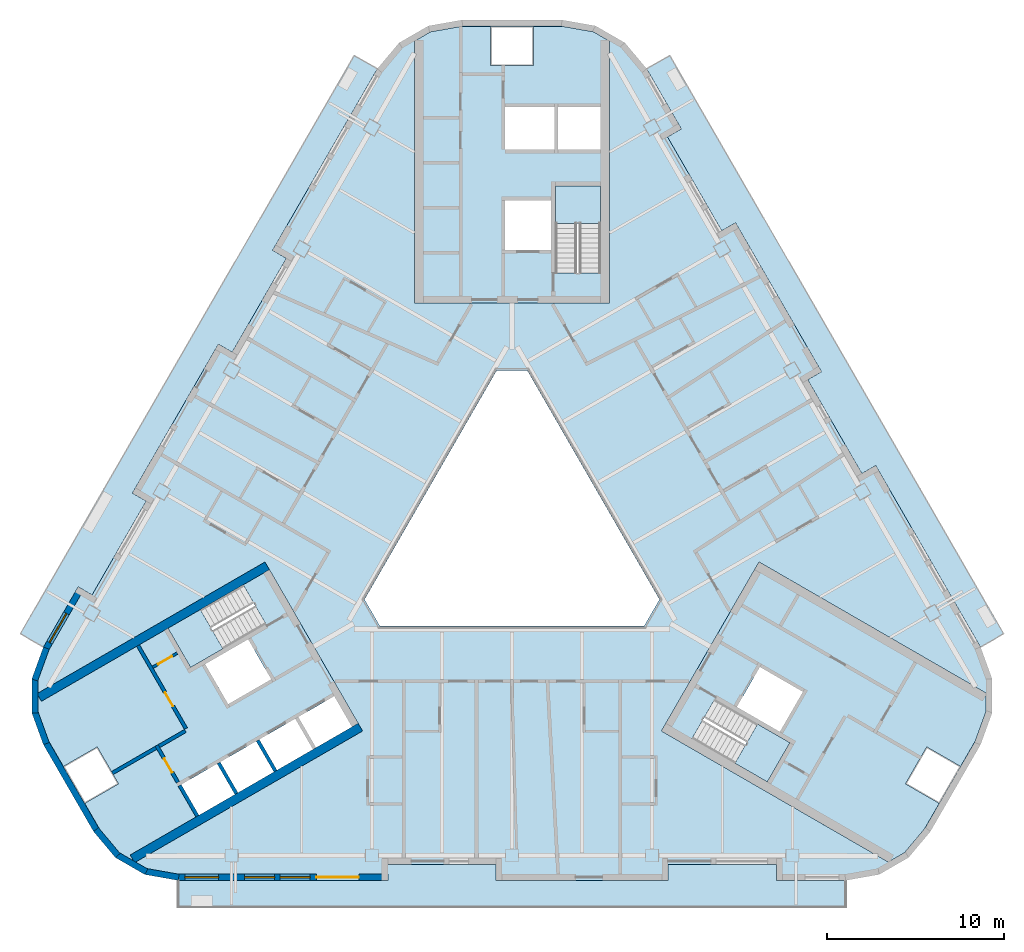
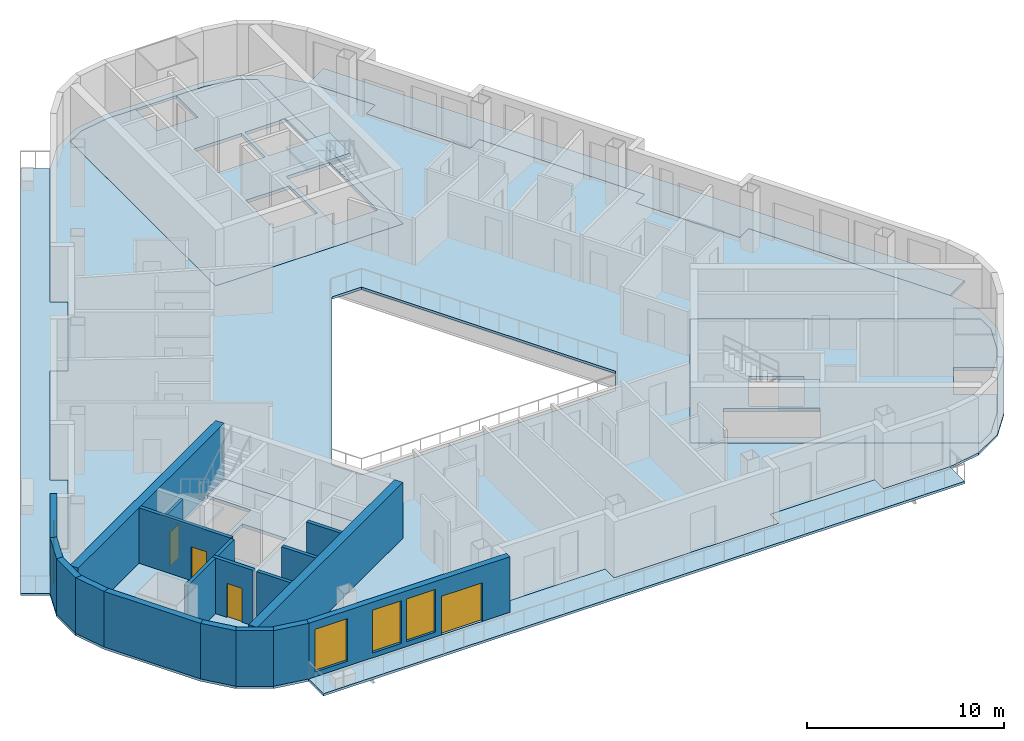
# One storey, part 2 of 14: 19 walls, 10 slabs, 4 doors, 4 windows, 8 openings, 3 elements without a shape of their own.
"""IFC4 building model written with IfcOpenShell, lengths in metres."""

from ifc_helpers import new_model, si_unit, direction, frame, frame_2d, origin, place, context, subcontext, project, spatial, polyline, rectangle, outline, extrude, material, layer, layer_set, type_object, element, fill, aggregate, save


model = new_model("IFC4")

# Units and contexts
model_context = context("Model", 3, precision=1e-05, world=origin(), true_north=direction((0.0, 1.0)))
body_context = subcontext(model_context, "Body", "Model", "MODEL_VIEW")
ifc_project = project(units=[si_unit("LENGTHUNIT", "METRE"), si_unit("AREAUNIT", "SQUARE_METRE"), si_unit("VOLUMEUNIT", "CUBIC_METRE"), si_unit("PLANEANGLEUNIT", "RADIAN"), si_unit("MASSUNIT", "GRAM", prefix="KILO")], contexts=[model_context])

# Site, building, storey
site_placement = place(None, origin())
site = spatial("IfcSite", under=ifc_project, at=site_placement, CompositionType="ELEMENT")
building_placement = place(site_placement, origin())
building = spatial("IfcBuilding", under=site, at=building_placement, Name="Apuvela Tower Hotel", CompositionType="ELEMENT")
storey_placement = place(building_placement, frame((0.0, 0.0, 228.0)))
storey = spatial("IfcBuildingStorey", under=building, at=storey_placement, Name="L56", CompositionType="ELEMENT", Elevation=228.0)

# Slabs
ifc_material_1 = material(Name="Concrete C50/60", Category="concrete")
ifc_layer_1 = layer(ifc_material_1, 0.199951171875)
ifc_layer_set_1 = layer_set([ifc_layer_1], Name="COR-FLOOR-200")
slab_type_1 = type_object("IfcSlabType", Name="COR-FLOOR-200", PredefinedType="FLOOR", material=ifc_layer_set_1)
slab_1_placement = place(storey_placement, frame((0.0, 0.0, -0.199951171875)))
element("IfcSlab", 1, at=slab_1_placement, inside=storey, type_object=slab_type_1, Name="Core floor N", PredefinedType="FLOOR", context=body_context, shape_type="SweptSolid", body=[
    extrude(outline(polyline([(5.5, 27.668212890625), (4.588623046875, 28.1943359375), (2.85498046875, 28.5), (1.199951171875, 28.5), (1.199951171875, 26.300048828125), (-1.199951171875, 26.300048828125), (-1.199951171875, 28.5), (-2.85498046875, 28.5), (-4.588623046875, 28.1943359375), (-5.5, 27.668212890625), (-5.5, 12.89990234375), (5.5, 12.89990234375), (5.5, 27.668212890625)]), holes=[polyline([(5.0, 14.60595703125), (2.449951171875, 14.60595703125), (2.449951171875, 19.5), (5.0, 19.5), (5.0, 14.60595703125)]), polyline([(2.199951171875, 15.89990234375), (-0.39990234375, 15.89990234375), (-0.39990234375, 18.699951171875), (2.199951171875, 18.699951171875), (2.199951171875, 15.89990234375)]), polyline([(5.0, 21.550048828125), (2.60009765625, 21.550048828125), (2.60009765625, 23.949951171875), (5.0, 23.949951171875), (5.0, 21.550048828125)]), polyline([(2.39990234375, 21.550048828125), (-0.39990234375, 21.550048828125), (-0.39990234375, 23.949951171875), (2.39990234375, 23.949951171875), (2.39990234375, 21.550048828125)])]), origin(), (0.0, 0.0, 1.0), 0.199951171875),
])
slab_2_placement = place(storey_placement, frame((0.0, 0.0, -0.199951171875)))
element("IfcSlab", 2, at=slab_2_placement, inside=storey, type_object=slab_type_1, Name="Core floor SW", PredefinedType="FLOOR", context=body_context, shape_type="SweptSolid", body=[
    extrude(outline(polyline([(-26.711181640625, -9.07080078125), (-26.711181640625, -10.123291015625), (-26.109375, -11.77734375), (-25.28173828125, -13.210693359375), (-23.37646484375, -12.11083984375), (-22.176513671875, -14.189208984375), (-24.081787109375, -15.289306640625), (-23.254150390625, -16.72265625), (-22.122802734375, -18.071044921875), (-21.211181640625, -18.59716796875), (-8.421630859375, -11.213134765625), (-13.921630859375, -1.68701171875), (-26.711181640625, -9.07080078125)]), holes=[polyline([(-10.01806640625, -9.248046875), (-9.01806640625, -10.97998046875), (-11.044677734375, -12.150146484375), (-12.044677734375, -10.418212890625), (-10.01806640625, -9.248046875)]), polyline([(-14.244384765625, -11.68798828125), (-12.2177734375, -10.51806640625), (-11.2177734375, -12.25), (-13.244384765625, -13.420166015625), (-14.244384765625, -11.68798828125)]), polyline([(-19.387451171875, -5.419921875), (-15.149169921875, -2.972900390625), (-13.874267578125, -5.18115234375), (-18.112548828125, -7.628173828125), (-19.387451171875, -5.419921875)]), polyline([(-14.869873046875, -6.044677734375), (-13.56982421875, -8.29638671875), (-15.99462890625, -9.6962890625), (-17.294677734375, -7.444580078125), (-14.869873046875, -6.044677734375)]), polyline([(-16.444091796875, -12.9580078125), (-14.41748046875, -11.7880859375), (-13.41748046875, -13.52001953125), (-15.444091796875, -14.690185546875), (-16.444091796875, -12.9580078125)]), polyline([(-18.643798828125, -14.22802734375), (-16.6171875, -13.05810546875), (-15.6171875, -14.7900390625), (-17.643798828125, -15.960205078125), (-18.643798828125, -14.22802734375)])]), origin(), (0.0, 0.0, 1.0), 0.199951171875),
])
slab_3_placement = place(storey_placement, frame((0.0, 0.0, -0.199951171875)))
element("IfcSlab", 3, at=slab_3_placement, inside=storey, type_object=slab_type_1, Name="Core floor SE", PredefinedType="FLOOR", context=body_context, shape_type="SweptSolid", body=[
    extrude(outline(polyline([(21.211181640625, -18.59716796875), (22.122802734375, -18.071044921875), (23.254150390625, -16.72265625), (24.081787109375, -15.289306640625), (22.176513671875, -14.189208984375), (23.37646484375, -12.11083984375), (25.28173828125, -13.210693359375), (26.109375, -11.77734375), (26.711181640625, -10.123291015625), (26.711181640625, -9.07080078125), (13.921630859375, -1.68701171875), (8.421630859375, -11.213134765625), (21.211181640625, -18.59716796875)]), holes=[polyline([(11.42431640625, -9.4248046875), (15.66259765625, -11.871826171875), (14.387451171875, -14.080078125), (10.149169921875, -11.633056640625), (11.42431640625, -9.4248046875)]), polyline([(13.9697265625, -7.603515625), (16.394775390625, -9.003662109375), (15.0947265625, -11.25537109375), (12.669921875, -9.855224609375), (13.9697265625, -7.603515625)])]), origin(), (0.0, 0.0, 1.0), 0.199951171875),
])

# Stair, slab
stair_type = type_object("IfcStairType", Name="COR-STAIR-22R", PredefinedType="HALF_TURN_STAIR", material=ifc_material_1)
stair_1_placement = place(storey_placement, origin())
stair_1 = element("IfcStair", 4, at=stair_1_placement, inside=storey, type_object=stair_type, Name="L56 Exit stair ST1", PredefinedType="HALF_TURN_STAIR")
ifc_layer_2 = layer(ifc_material_1, 0.199951171875)
ifc_layer_set_2 = layer_set([ifc_layer_2], Name="COR-LANDING-200")
slab_type_2 = type_object("IfcSlabType", Name="COR-LANDING-200", PredefinedType="LANDING", material=ifc_layer_set_2)
slab_4_placement = place(storey_placement, frame((0.0, 0.0, 1.64990234375)))
slab_4 = element("IfcSlab", 5, at=slab_4_placement, type_object=slab_type_2, Name="ST1 landing 1", PredefinedType="LANDING", context=body_context, shape_type="SweptSolid", body=[
    extrude(outline(polyline([(5.0, 17.39404296875), (5.0, 19.5), (2.449951171875, 19.5), (2.449951171875, 17.39404296875), (5.0, 17.39404296875)])), origin(), (0.0, 0.0, 1.0), 0.2001953125),
])
aggregate(stair_1, [slab_4])

stair_2_placement = place(storey_placement, origin())
stair_2 = element("IfcStair", 6, at=stair_2_placement, inside=storey, type_object=stair_type, Name="L56 Exit stair ST2", PredefinedType="HALF_TURN_STAIR")
slab_5_placement = place(storey_placement, frame((0.0, 0.0, 1.64990234375)))
slab_5 = element("IfcSlab", 7, at=slab_5_placement, type_object=slab_type_2, Name="ST2 landing 1", PredefinedType="LANDING", context=body_context, shape_type="SweptSolid", body=[
    extrude(outline(polyline([(-17.563720703125, -4.366943359375), (-19.387451171875, -5.419921875), (-18.112548828125, -7.628173828125), (-16.28857421875, -6.5751953125), (-17.563720703125, -4.366943359375)])), origin(), (0.0, 0.0, 1.0), 0.2001953125),
])
aggregate(stair_2, [slab_5])

stair_3_placement = place(storey_placement, origin())
stair_3 = element("IfcStair", 8, at=stair_3_placement, inside=storey, type_object=stair_type, Name="L56 Exit stair ST3", PredefinedType="HALF_TURN_STAIR")
slab_6_placement = place(storey_placement, frame((0.0, 0.0, 1.64990234375)))
slab_6 = element("IfcSlab", 9, at=slab_6_placement, type_object=slab_type_2, Name="ST3 landing 1", PredefinedType="LANDING", context=body_context, shape_type="SweptSolid", body=[
    extrude(outline(polyline([(12.563720703125, -13.027099609375), (14.387451171875, -14.080078125), (15.66259765625, -11.871826171875), (13.838623046875, -10.81884765625), (12.563720703125, -13.027099609375)])), origin(), (0.0, 0.0, 1.0), 0.2001953125),
])
aggregate(stair_3, [slab_6])

# Slabs
ifc_material_2 = material(Name="Concrete C40/50, fair-faced", Category="concrete")
ifc_layer_3 = layer(ifc_material_2, 0.14990234375)
ifc_layer_set_3 = layer_set([ifc_layer_3], Name="ENV-BALCONY-150")
slab_type_3 = type_object("IfcSlabType", Name="ENV-BALCONY-150", PredefinedType="FLOOR", material=ifc_layer_set_3)
slab_7_placement = place(storey_placement, frame((0.0, 0.0, -0.14990234375)))
element("IfcSlab", 10, at=slab_7_placement, inside=storey, type_object=slab_type_3, Name="Balcony slab S L56", PredefinedType="FLOOR", context=body_context, shape_type="SweptSolid", body=[
    extrude(outline(polyline([(18.82080078125, -21.135009765625), (-18.82080078125, -21.135009765625), (-18.82080078125, -19.625), (-7.0048828125, -19.625), (-7.0048828125, -18.72509765625), (-0.89501953125, -18.72509765625), (-0.89501953125, -19.625), (8.794921875, -19.625), (8.794921875, -18.72509765625), (14.905029296875, -18.72509765625), (14.905029296875, -19.625), (18.82080078125, -19.625), (18.82080078125, -21.135009765625)])), origin(), (0.0, 0.0, 1.0), 0.14990234375),
])
slab_8_placement = place(storey_placement, frame((0.0, 0.0, -0.14990234375)))
element("IfcSlab", 11, at=slab_8_placement, inside=storey, type_object=slab_type_3, Name="Balcony slab NE L56", PredefinedType="FLOOR", context=body_context, shape_type="SweptSolid", body=[
    extrude(outline(polyline([(17.443359375, 9.037353515625), (12.598388671875, 17.42919921875), (11.81884765625, 16.979248046875), (8.763916015625, 22.2705078125), (9.543212890625, 22.720703125), (7.585205078125, 26.11181640625), (8.89306640625, 26.86669921875), (27.7138671875, -5.731689453125), (26.40625, -6.48681640625), (20.498291015625, 3.74609375), (19.71875, 3.2958984375), (16.663818359375, 8.58740234375), (17.443359375, 9.037353515625)])), origin(), (0.0, 0.0, 1.0), 0.14990234375),
])
slab_9_placement = place(storey_placement, frame((0.0, 0.0, -0.14990234375)))
element("IfcSlab", 12, at=slab_9_placement, inside=storey, type_object=slab_type_3, Name="Balcony slab NW L56", PredefinedType="FLOOR", context=body_context, shape_type="SweptSolid", body=[
    extrude(outline(polyline([(-27.7138671875, -5.731689453125), (-8.89306640625, 26.86669921875), (-7.585205078125, 26.11181640625), (-13.4931640625, 15.87890625), (-12.7138671875, 15.428955078125), (-15.768798828125, 10.1376953125), (-16.548095703125, 10.587646484375), (-21.393310546875, 2.19580078125), (-20.61376953125, 1.745849609375), (-23.668701171875, -3.545654296875), (-24.4482421875, -3.095703125), (-26.40625, -6.48681640625), (-27.7138671875, -5.731689453125)])), origin(), (0.0, 0.0, 1.0), 0.14990234375),
])
ifc_material_3 = material(Name="Concrete C35/45", Category="concrete")
ifc_layer_4 = layer(ifc_material_3, 0.14990234375)
ifc_layer_set_4 = layer_set([ifc_layer_4], Name="STR-SLAB 150 floor Concrete C35/45")
slab_type_4 = type_object("IfcSlabType", Name="STR-SLAB 150 floor Concrete C35/45", PredefinedType="FLOOR", material=ifc_layer_set_4)
slab_10_placement = place(storey_placement, frame((0.0, 0.0, -0.14990234375)))
element("IfcSlab", 13, at=slab_10_placement, inside=storey, type_object=slab_type_4, Name="Floor slab S4 L56", PredefinedType="FLOOR", context=body_context, shape_type="SweptSolid", body=[
    extrude(outline(polyline([(-6.3642578125, 27.5732421875), (-4.710205078125, 28.5283203125), (-2.8291015625, 28.860107421875), (2.8291015625, 28.860107421875), (4.710205078125, 28.5283203125), (6.3642578125, 27.5732421875), (7.59228515625, 26.110107421875), (9.550048828125, 22.71875), (8.770751953125, 22.268798828125), (11.82080078125, 16.986083984375), (12.60009765625, 17.43603515625), (17.4501953125, 9.035400390625), (16.670654296875, 8.58544921875), (19.720703125, 3.302734375), (20.5, 3.752685546875), (26.407958984375, -6.47998046875), (27.061279296875, -8.27490234375), (27.061279296875, -10.18505859375), (26.407958984375, -11.97998046875), (23.5791015625, -16.8798828125), (22.351318359375, -18.34326171875), (20.697021484375, -19.29833984375), (18.81591796875, -19.6298828125), (14.89990234375, -19.6298828125), (14.89990234375, -18.72998046875), (8.800048828125, -18.72998046875), (8.800048828125, -19.6298828125), (-0.89990234375, -19.6298828125), (-0.89990234375, -18.72998046875), (-7.0, -18.72998046875), (-7.0, -19.6298828125), (-18.81591796875, -19.6298828125), (-20.697021484375, -19.29833984375), (-22.351318359375, -18.34326171875), (-23.5791015625, -16.8798828125), (-26.407958984375, -11.97998046875), (-27.061279296875, -10.18505859375), (-27.061279296875, -8.27490234375), (-26.407958984375, -6.47998046875), (-24.4501953125, -3.088623046875), (-23.670654296875, -3.538818359375), (-20.62060546875, 1.743896484375), (-21.400146484375, 2.194091796875), (-16.550048828125, 10.594482421875), (-15.7705078125, 10.14453125), (-12.720703125, 15.42724609375), (-13.5, 15.877197265625), (-7.59228515625, 26.110107421875), (-6.3642578125, 27.5732421875)]), holes=[polyline([(0.865966796875, 9.10009765625), (-0.865966796875, 9.10009765625), (-8.313720703125, -3.800048828125), (-7.44775390625, -5.300048828125), (7.44775390625, -5.300048828125), (8.313720703125, -3.800048828125), (0.865966796875, 9.10009765625)]), polyline([(-5.5, 12.89990234375), (-5.5, 27.668212890625), (-4.588623046875, 28.1943359375), (-2.85498046875, 28.5), (2.85498046875, 28.5), (4.588623046875, 28.1943359375), (5.5, 27.668212890625), (5.5, 12.89990234375), (-5.5, 12.89990234375)]), polyline([(-8.421630859375, -11.213134765625), (-21.211181640625, -18.59716796875), (-22.122802734375, -18.071044921875), (-23.254150390625, -16.72265625), (-26.109375, -11.77734375), (-26.711181640625, -10.123291015625), (-26.711181640625, -9.07080078125), (-13.921630859375, -1.68701171875), (-8.421630859375, -11.213134765625)]), polyline([(13.921630859375, -1.68701171875), (26.711181640625, -9.07080078125), (26.711181640625, -10.123291015625), (26.109375, -11.77734375), (23.254150390625, -16.72265625), (22.122802734375, -18.071044921875), (21.211181640625, -18.59716796875), (8.421630859375, -11.213134765625), (13.921630859375, -1.68701171875)])]), origin(), (0.0, 0.0, 1.0), 0.14990234375),
])

# Walls
ifc_layer_5 = layer(ifc_material_1, 0.5)
ifc_layer_set_5 = layer_set([ifc_layer_5], Name="COR-WALL-CORE-500")
wall_type_1 = type_object("IfcWallType", Name="COR-WALL-CORE-500", PredefinedType="SHEAR", material=ifc_layer_set_5)
for number, where, z_axis, x_axis, name in (
    (14, (-13.796630859375, -1.9033203125, 0.0), (0.0, 0.0, 1.0), (-0.866025009528, -0.500000682871, 0.0), "Core wall SW"),
    (15, (-8.546630859375, -10.99658203125, 0.0), (0.0, 0.0, 1.0), (-0.866025009528, -0.500000682871, 0.0), "Core wall SW"),
):
    element("IfcWall", number, at=place(storey_placement, frame(where, z_axis=z_axis, x_axis=x_axis)), inside=storey, type_object=wall_type_1, Name=name, PredefinedType="SHEAR", context=body_context, shape_type="SweptSolid", body=[
        extrude(rectangle(XDim=14.8369140625, YDim=0.5, at=frame_2d((7.41845703125, 0.0))), origin(), (0.0, 0.0, 1.0), 3.449951171875),
    ])

# Wall, opening, door
ifc_material_4 = material(Name="Blockwork 150 mm plastered", Category="masonry")
ifc_layer_6 = layer(ifc_material_4, 0.14990234375)
ifc_layer_set_6 = layer_set([ifc_layer_6], Name="COR-WALL-PART-150")
wall_type_2 = type_object("IfcWallType", Name="COR-WALL-PART-150", PredefinedType="PARTITIONING", material=ifc_layer_set_6)
wall_1_placement = place(storey_placement, frame((-18.866455078125, -6.822265625, 0.0), z_axis=(0.0, 0.0, 1.0), x_axis=(-0.866028054938, -0.499995408039, 0.0)))
wall_1 = element("IfcWall", 16, at=wall_1_placement, inside=storey, type_object=wall_type_2, Name="Partition SW", PredefinedType="PARTITIONING", context=body_context, shape_type="SweptSolid", body=[
    extrude(rectangle(XDim=1.60009765625, YDim=0.14990234375, at=frame_2d((0.800048828125, 0.0))), origin(), (0.0, 0.0, 1.0), 3.449951171875),
])
opening_1_placement = place(wall_1_placement, frame((0.35009765625, 0.0, 0.0)))
opening_1 = element("IfcOpeningElement", 17, at=opening_1_placement, cuts=wall_1, Name="Opening W-RD", PredefinedType="OPENING", context=body_context, shape_type="SweptSolid", body=[
    extrude(rectangle(XDim=0.89990234375, YDim=2.10009765625, at=frame_2d((0.449951171875, 1.050048828125))), frame((0.0, 0.0849609375, 0.0), z_axis=(0.0, -1.0, 0.0), x_axis=(1.0, 0.0, 0.0)), (0.0, 0.0, 1.0), 0.169921875),
])
ifc_material_5 = material(Name="Steel access door, powder coated", Category="steel")
door_type_1 = type_object("IfcDoorType", Name="COR-RD-900", OperationType="NOTDEFINED", PredefinedType="DOOR", material=ifc_material_5)
door_1_placement = place(opening_1_placement, frame((0.89990234375, 0.0, 0.0), z_axis=(0.0, 0.0, 1.0), x_axis=(-1.0, 0.0, 0.0)))
door_1 = element("IfcDoor", 18, at=door_1_placement, inside=storey, type_object=door_type_1, Name="Riser door W-RD", OperationType="SINGLE_SWING_RIGHT", OverallHeight=2.10009765625, OverallWidth=0.89990234375, PredefinedType="DOOR", context=body_context, shape_type="SweptSolid", body=[
    extrude(rectangle(XDim=0.89990234375, YDim=2.10009765625, at=frame_2d((0.449951171875, 1.050048828125))), frame((0.0, 0.02490234375, 0.0), z_axis=(0.0, -1.0, 0.0), x_axis=(1.0, 0.0, 0.0)), (0.0, 0.0, 1.0), 0.050048828125),
])
fill(opening_1, door_1)

ifc_material_6 = material(Name="Blockwork 200 mm plastered", Category="masonry")
ifc_layer_7 = layer(ifc_material_6, 0.199951171875)
ifc_layer_set_7 = layer_set([ifc_layer_7], Name="COR-WALL-PART-200")
wall_type_3 = type_object("IfcWallType", Name="COR-WALL-PART-200", PredefinedType="PARTITIONING", material=ifc_layer_set_7)
wall_2_placement = place(storey_placement, frame((-21.076171875, -6.39501953125, 0.0), z_axis=(0.0, 0.0, 1.0), x_axis=(0.50001468107, -0.866016927499, 0.0)))
wall_2 = element("IfcWall", 19, at=wall_2_placement, inside=storey, type_object=wall_type_3, Name="Partition SW", PredefinedType="PARTITIONING", context=body_context, shape_type="SweptSolid", body=[
    extrude(rectangle(XDim=5.399658203125, YDim=0.199951171875, at=frame_2d((2.69970703125, 0.0))), origin(), (0.0, 0.0, 1.0), 3.449951171875),
])
opening_2_placement = place(wall_2_placement, frame((3.050048828125, 0.0, 0.0)))
opening_2 = element("IfcOpeningElement", 20, at=opening_2_placement, cuts=wall_2, Name="Opening W-RS1", PredefinedType="OPENING", context=body_context, shape_type="SweptSolid", body=[
    extrude(rectangle(XDim=0.89990234375, YDim=2.10009765625, at=frame_2d((0.449951171875, 1.050048828125))), frame((0.0, 0.10986328125, 0.0), z_axis=(0.0, -1.0, 0.0), x_axis=(1.0, 0.0, 0.0)), (0.0, 0.0, 1.0), 0.219970703125),
])
ifc_material_7 = material(Name="Steel fire door, powder coated", Category="steel")
door_type_2 = type_object("IfcDoorType", Name="COR-DR-900", OperationType="NOTDEFINED", PredefinedType="DOOR", material=ifc_material_7)
door_2_placement = place(opening_2_placement, frame((0.89990234375, 0.0, 0.0), z_axis=(0.0, 0.0, 1.0), x_axis=(-1.0, 0.0, 0.0)))
door_2 = element("IfcDoor", 21, at=door_2_placement, inside=storey, type_object=door_type_2, Name="Store door W-RS1", OperationType="SINGLE_SWING_LEFT", OverallHeight=2.10009765625, OverallWidth=0.89990234375, PredefinedType="DOOR", context=body_context, shape_type="SweptSolid", body=[
    extrude(rectangle(XDim=0.89990234375, YDim=2.10009765625, at=frame_2d((0.449951171875, 1.050048828125))), frame((0.0, 0.02490234375, 0.0), z_axis=(0.0, -1.0, 0.0), x_axis=(1.0, 0.0, 0.0)), (0.0, 0.0, 1.0), 0.050048828125),
])
fill(opening_2, door_2)

ifc_layer_8 = layer(ifc_material_1, 0.199951171875)
ifc_layer_set_8 = layer_set([ifc_layer_8], Name="COR-WALL-SHAFT-200")
wall_type_4 = type_object("IfcWallType", Name="COR-WALL-SHAFT-200", PredefinedType="SHEAR", material=ifc_layer_set_8)
wall_3_placement = place(storey_placement, frame((-20.030517578125, -12.0263671875, 0.0), z_axis=(0.0, 0.0, 1.0), x_axis=(0.500033551112, -0.866006032174, 0.0)))
wall_3 = element("IfcWall", 22, at=wall_3_placement, inside=storey, type_object=wall_type_4, Name="Shaft wall SW", PredefinedType="SHEAR", context=body_context, shape_type="SweptSolid", body=[
    extrude(rectangle(XDim=2.400146484375, YDim=0.199951171875, at=frame_2d((1.2001953125, 0.0))), origin(), (0.0, 0.0, 1.0), 3.449951171875),
])
opening_3_placement = place(wall_3_placement, frame((0.85009765625, 0.0, 0.0)))
opening_3 = element("IfcOpeningElement", 23, at=opening_3_placement, cuts=wall_3, Name="Opening W-REP", PredefinedType="OPENING", context=body_context, shape_type="SweptSolid", body=[
    extrude(rectangle(XDim=0.89990234375, YDim=2.10009765625, at=frame_2d((0.449951171875, 1.050048828125))), frame((0.0, 0.10986328125, 0.0), z_axis=(0.0, -1.0, 0.0), x_axis=(1.0, 0.0, 0.0)), (0.0, 0.0, 1.0), 0.219970703125),
])
door_3_placement = place(opening_3_placement, frame((0.89990234375, 0.0, 0.0), z_axis=(0.0, 0.0, 1.0), x_axis=(-1.0, 0.0, 0.0)))
door_3 = element("IfcDoor", 24, at=door_3_placement, inside=storey, type_object=door_type_2, Name="Store door W-REP", OperationType="SINGLE_SWING_LEFT", OverallHeight=2.10009765625, OverallWidth=0.89990234375, PredefinedType="DOOR", context=body_context, shape_type="SweptSolid", body=[
    extrude(rectangle(XDim=0.89990234375, YDim=2.10009765625, at=frame_2d((0.449951171875, 1.050048828125))), frame((0.0, 0.02490234375, 0.0), z_axis=(0.0, -1.0, 0.0), x_axis=(1.0, 0.0, 0.0)), (0.0, 0.0, 1.0), 0.050048828125),
])
fill(opening_3, door_3)

# Walls
wall_4_placement = place(storey_placement, frame((-18.412841796875, -11.2080078125, 0.0), z_axis=(0.0, 0.0, 1.0), x_axis=(-0.866038183914, -0.499977863513, 0.0)))
element("IfcWall", 25, at=wall_4_placement, inside=storey, type_object=wall_type_4, Name="Shaft wall SW", PredefinedType="SHEAR", context=body_context, shape_type="SweptSolid", body=[
    extrude(rectangle(XDim=1.7099609375, YDim=0.199951171875, at=frame_2d((0.85498046875, 0.0))), origin(), (0.0, 0.0, 1.0), 3.449951171875),
])
for number, where, z_axis, x_axis, name in (
    (26, (-14.330810546875, -11.738037109375, 0.0), (0.0, 0.0, 1.0), (0.499972520799, -0.866041268327, 0.0), "Shaft wall SW"),
    (27, (-16.530517578125, -13.008056640625, 0.0), (0.0, 0.0, 1.0), (0.50002537861, -0.866010750942, 0.0), "Shaft wall SW"),
    (28, (-18.73046875, -14.278076171875, 0.0), (0.0, 0.0, 1.0), (0.50002537861, -0.866010750942, 0.0), "Shaft wall SW"),
):
    element("IfcWall", number, at=place(storey_placement, frame(where, z_axis=z_axis, x_axis=x_axis)), inside=storey, type_object=wall_type_4, Name=name, PredefinedType="SHEAR", context=body_context, shape_type="SweptSolid", body=[
        extrude(rectangle(XDim=2.0, YDim=0.199951171875, at=frame_2d((1.0, 0.0))), origin(), (0.0, 0.0, 1.0), 3.449951171875),
    ])
wall_5_placement = place(storey_placement, frame((-20.06689453125, -12.1630859375, 0.0), z_axis=(0.0, 0.0, 1.0), x_axis=(-0.866055327414, -0.49994816717, 0.0)))
element("IfcWall", 29, at=wall_5_placement, inside=storey, type_object=wall_type_4, Name="Shaft wall SW", PredefinedType="SHEAR", context=body_context, shape_type="SweptSolid", body=[
    extrude(rectangle(XDim=2.840087890625, YDim=0.199951171875, at=frame_2d((1.419921875, 0.0))), origin(), (0.0, 0.0, 1.0), 3.449951171875),
])

# Wall, opening, window
ifc_material_8 = material(Name="Concrete C40/50, dark pigmented precast panel", Category="concrete")
ifc_layer_9 = layer(ifc_material_8, 0.35009765625)
ifc_layer_set_9 = layer_set([ifc_layer_9], Name="ENV-WALL-350")
wall_type_5 = type_object("IfcWallType", Name="ENV-WALL-350", PredefinedType="SOLIDWALL", material=ifc_layer_set_9)
wall_6_placement = place(storey_placement, frame((-24.298583984375, -3.17626953125, 0.0), z_axis=(0.0, 0.0, 1.0), x_axis=(-0.500028278809, -0.866009076391, 0.0)))
wall_6 = element("IfcWall", 30, at=wall_6_placement, inside=storey, type_object=wall_type_5, Name="External wall L56-09", PredefinedType="SOLIDWALL", context=body_context, shape_type="SweptSolid", body=[
    extrude(rectangle(XDim=3.915771484375, YDim=0.35009765625, at=frame_2d((1.9580078125, 0.0))), origin(), (0.0, 0.0, 1.0), 3.449951171875),
])
opening_4_placement = place(wall_6_placement, frame((1.625, 0.0, 0.300048828125)))
opening_4 = element("IfcOpeningElement", 31, at=opening_4_placement, cuts=wall_6, Name="Opening WN19", PredefinedType="OPENING", context=body_context, shape_type="SweptSolid", body=[
    extrude(rectangle(XDim=1.89990234375, YDim=2.64990234375, at=frame_2d((0.949951171875, 1.324951171875))), frame((0.0, 0.18505859375, 0.0), z_axis=(0.0, -1.0, 0.0), x_axis=(1.0, 0.0, 0.0)), (0.0, 0.0, 1.0), 0.3701171875),
])
ifc_material_9 = material(Name="Glass, dark tinted laminated insulated glazing unit", Category="glass")
window_type_1 = type_object("IfcWindowType", Name="ENV-WIN-1900x2650", PartitioningType="SINGLE_PANEL", PredefinedType="WINDOW", material=ifc_material_9)
window_1_placement = place(opening_4_placement, origin())
window_1 = element("IfcWindow", 32, at=window_1_placement, inside=storey, type_object=window_type_1, Name="Window WN19", OverallHeight=2.64990234375, OverallWidth=1.89990234375, PartitioningType="SINGLE_PANEL", PredefinedType="WINDOW", context=body_context, shape_type="SweptSolid", body=[
    extrude(rectangle(XDim=1.89990234375, YDim=2.64990234375, at=frame_2d((0.949951171875, 1.324951171875))), frame((0.0, 0.030029296875, 0.0), z_axis=(0.0, -1.0, 0.0), x_axis=(1.0, 0.0, 0.0)), (0.0, 0.0, 1.0), 0.06005859375),
])
fill(opening_4, window_1)

# Walls
for number, where, z_axis, x_axis, name in (
    (33, (-26.24365234375, -6.539794921875, 0.0), (0.0, 0.0, 1.0), (-0.342030395486, -0.939688889242, 0.0), "External wall L56-10"),
    (34, (-26.88623046875, -8.27490234375, 0.0), (0.0, 0.0, 1.0), (0.0, -1.0, 0.0), "External wall L56-11"),
    (35, (-26.89697265625, -10.125244140625, 0.0), (0.0, 0.0, 1.0), (0.342030395486, -0.939688889242, 0.0), "External wall L56-12"),
):
    element("IfcWall", number, at=place(storey_placement, frame(where, z_axis=z_axis, x_axis=x_axis)), inside=storey, type_object=wall_type_5, Name=name, PredefinedType="SOLIDWALL", context=body_context, shape_type="SweptSolid", body=[
        extrude(rectangle(XDim=1.91015625, YDim=0.35009765625, at=frame_2d((0.955078125, 0.0))), origin(), (0.0, 0.0, 1.0), 3.449951171875),
    ])
wall_7_placement = place(storey_placement, frame((-26.256591796875, -11.892578125, 0.0), z_axis=(0.0, 0.0, 1.0), x_axis=(0.500018773155, -0.866014564827, 0.0)))
element("IfcWall", 36, at=wall_7_placement, inside=storey, type_object=wall_type_5, Name="External wall L56-13", PredefinedType="SOLIDWALL", context=body_context, shape_type="SweptSolid", body=[
    extrude(rectangle(XDim=5.657958984375, YDim=0.35009765625, at=frame_2d((2.8291015625, 0.0))), origin(), (0.0, 0.0, 1.0), 3.449951171875),
])
for number, where, z_axis, x_axis, name in (
    (37, (-23.44482421875, -16.767578125, 0.0), (0.0, 0.0, 1.0), (0.642733291068, -0.76609001857, 0.0), "External wall L56-14"),
    (38, (-22.263671875, -18.191650390625, 0.0), (0.0, 0.0, 1.0), (0.866000389056, -0.500043324278, 0.0), "External wall L56-15"),
):
    element("IfcWall", number, at=place(storey_placement, frame(where, z_axis=z_axis, x_axis=x_axis)), inside=storey, type_object=wall_type_5, Name=name, PredefinedType="SOLIDWALL", context=body_context, shape_type="SweptSolid", body=[
        extrude(rectangle(XDim=1.909912109375, YDim=0.35009765625, at=frame_2d((0.955078125, 0.0))), origin(), (0.0, 0.0, 1.0), 3.449951171875),
    ])
wall_8_placement = place(storey_placement, frame((-20.66650390625, -19.1259765625, 0.0), z_axis=(0.0, 0.0, 1.0), x_axis=(0.984798995425, -0.173697837091, 0.0)))
element("IfcWall", 39, at=wall_8_placement, inside=storey, type_object=wall_type_5, Name="External wall L56-16", PredefinedType="SOLIDWALL", context=body_context, shape_type="SweptSolid", body=[
    extrude(rectangle(XDim=1.91015625, YDim=0.35009765625, at=frame_2d((0.955078125, 0.0))), origin(), (0.0, 0.0, 1.0), 3.449951171875),
])

# Wall, openings, door, windows
wall_9_placement = place(storey_placement, frame((-18.81591796875, -19.455078125, 0.0), z_axis=(0.0, 0.0, 1.0), x_axis=(1.0, 0.0, 0.0)))
wall_9 = element("IfcWall", 40, at=wall_9_placement, inside=storey, type_object=wall_type_5, Name="External wall L56-17", PredefinedType="SOLIDWALL", context=body_context, shape_type="SweptSolid", body=[
    extrude(rectangle(XDim=11.81591796875, YDim=0.35009765625, at=frame_2d((5.907958984375, 0.0))), origin(), (0.0, 0.0, 1.0), 3.449951171875),
])
opening_5_placement = place(wall_9_placement, frame((0.380615234375, 0.0, 0.300048828125)))
opening_5 = element("IfcOpeningElement", 41, at=opening_5_placement, cuts=wall_9, Name="Opening WN19", PredefinedType="OPENING", context=body_context, shape_type="SweptSolid", body=[
    extrude(rectangle(XDim=1.89990234375, YDim=2.64990234375, at=frame_2d((0.949951171875, 1.324951171875))), frame((0.0, 0.18505859375, 0.0), z_axis=(0.0, -1.0, 0.0), x_axis=(1.0, 0.0, 0.0)), (0.0, 0.0, 1.0), 0.3701171875),
])
opening_6_placement = place(wall_9_placement, frame((7.790283203125, 0.0, 0.0)))
opening_6 = element("IfcOpeningElement", 42, at=opening_6_placement, cuts=wall_9, Name="Opening BD24", PredefinedType="OPENING", context=body_context, shape_type="SweptSolid", body=[
    extrude(rectangle(XDim=2.39990234375, YDim=2.39990234375, at=frame_2d((1.199951171875, 1.199951171875))), frame((0.0, 0.18505859375, 0.0), z_axis=(0.0, -1.0, 0.0), x_axis=(1.0, 0.0, 0.0)), (0.0, 0.0, 1.0), 0.3701171875),
])
opening_7_placement = place(wall_9_placement, frame((3.740966796875, 0.0, 0.300048828125)))
opening_7 = element("IfcOpeningElement", 43, at=opening_7_placement, cuts=wall_9, Name="Opening WN17", PredefinedType="OPENING", context=body_context, shape_type="SweptSolid", body=[
    extrude(rectangle(XDim=1.699951171875, YDim=2.64990234375, at=frame_2d((0.85009765625, 1.324951171875))), frame((0.0, 0.18505859375, 0.0), z_axis=(0.0, -1.0, 0.0), x_axis=(1.0, 0.0, 0.0)), (0.0, 0.0, 1.0), 0.3701171875),
])
opening_8_placement = place(wall_9_placement, frame((5.740966796875, 0.0, 0.300048828125)))
opening_8 = element("IfcOpeningElement", 44, at=opening_8_placement, cuts=wall_9, Name="Opening WN17", PredefinedType="OPENING", context=body_context, shape_type="SweptSolid", body=[
    extrude(rectangle(XDim=1.699951171875, YDim=2.64990234375, at=frame_2d((0.85009765625, 1.324951171875))), frame((0.0, 0.18505859375, 0.0), z_axis=(0.0, -1.0, 0.0), x_axis=(1.0, 0.0, 0.0)), (0.0, 0.0, 1.0), 0.3701171875),
])
ifc_material_10 = material(Name="Aluminium 6063-T6, dark bronze anodised frame with dark tinted laminated glass", Category="aluminium")
door_type_3 = type_object("IfcDoorType", Name="ENV-DOOR-BALCONY-2400x2400", OperationType="SLIDING_TO_LEFT", PredefinedType="DOOR", material=ifc_material_10)
door_4_placement = place(opening_6_placement, frame((2.39990234375, 0.0, 0.0), z_axis=(0.0, 0.0, 1.0), x_axis=(-1.0, 0.0, 0.0)))
door_4 = element("IfcDoor", 45, at=door_4_placement, inside=storey, type_object=door_type_3, Name="Balcony door BD24", OperationType="SLIDING_TO_LEFT", OverallHeight=2.39990234375, OverallWidth=2.39990234375, PredefinedType="DOOR", context=body_context, shape_type="SweptSolid", body=[
    extrude(rectangle(XDim=2.39990234375, YDim=2.39990234375, at=frame_2d((1.199951171875, 1.199951171875))), frame((0.0, 0.02490234375, 0.0), z_axis=(0.0, -1.0, 0.0), x_axis=(1.0, 0.0, 0.0)), (0.0, 0.0, 1.0), 0.050048828125),
])
fill(opening_6, door_4)
window_type_2 = type_object("IfcWindowType", Name="ENV-WIN-1700x2650", PartitioningType="SINGLE_PANEL", PredefinedType="WINDOW", material=ifc_material_9)
window_2_placement = place(opening_7_placement, origin())
window_2 = element("IfcWindow", 46, at=window_2_placement, inside=storey, type_object=window_type_2, Name="Window WN17", OverallHeight=2.64990234375, OverallWidth=1.699951171875, PartitioningType="SINGLE_PANEL", PredefinedType="WINDOW", context=body_context, shape_type="SweptSolid", body=[
    extrude(rectangle(XDim=1.699951171875, YDim=2.64990234375, at=frame_2d((0.85009765625, 1.324951171875))), frame((0.0, 0.030029296875, 0.0), z_axis=(0.0, -1.0, 0.0), x_axis=(1.0, 0.0, 0.0)), (0.0, 0.0, 1.0), 0.06005859375),
])
fill(opening_7, window_2)
window_3_placement = place(opening_8_placement, origin())
window_3 = element("IfcWindow", 47, at=window_3_placement, inside=storey, type_object=window_type_2, Name="Window WN17", OverallHeight=2.64990234375, OverallWidth=1.699951171875, PartitioningType="SINGLE_PANEL", PredefinedType="WINDOW", context=body_context, shape_type="SweptSolid", body=[
    extrude(rectangle(XDim=1.699951171875, YDim=2.64990234375, at=frame_2d((0.85009765625, 1.324951171875))), frame((0.0, 0.030029296875, 0.0), z_axis=(0.0, -1.0, 0.0), x_axis=(1.0, 0.0, 0.0)), (0.0, 0.0, 1.0), 0.06005859375),
])
fill(opening_8, window_3)
window_4_placement = place(opening_5_placement, origin())
window_4 = element("IfcWindow", 48, at=window_4_placement, inside=storey, type_object=window_type_1, Name="Window WN19", OverallHeight=2.64990234375, OverallWidth=1.89990234375, PartitioningType="SINGLE_PANEL", PredefinedType="WINDOW", context=body_context, shape_type="SweptSolid", body=[
    extrude(rectangle(XDim=1.89990234375, YDim=2.64990234375, at=frame_2d((0.949951171875, 1.324951171875))), frame((0.0, 0.030029296875, 0.0), z_axis=(0.0, -1.0, 0.0), x_axis=(1.0, 0.0, 0.0)), (0.0, 0.0, 1.0), 0.06005859375),
])
fill(opening_5, window_4)

save(model, "model.ifc")
